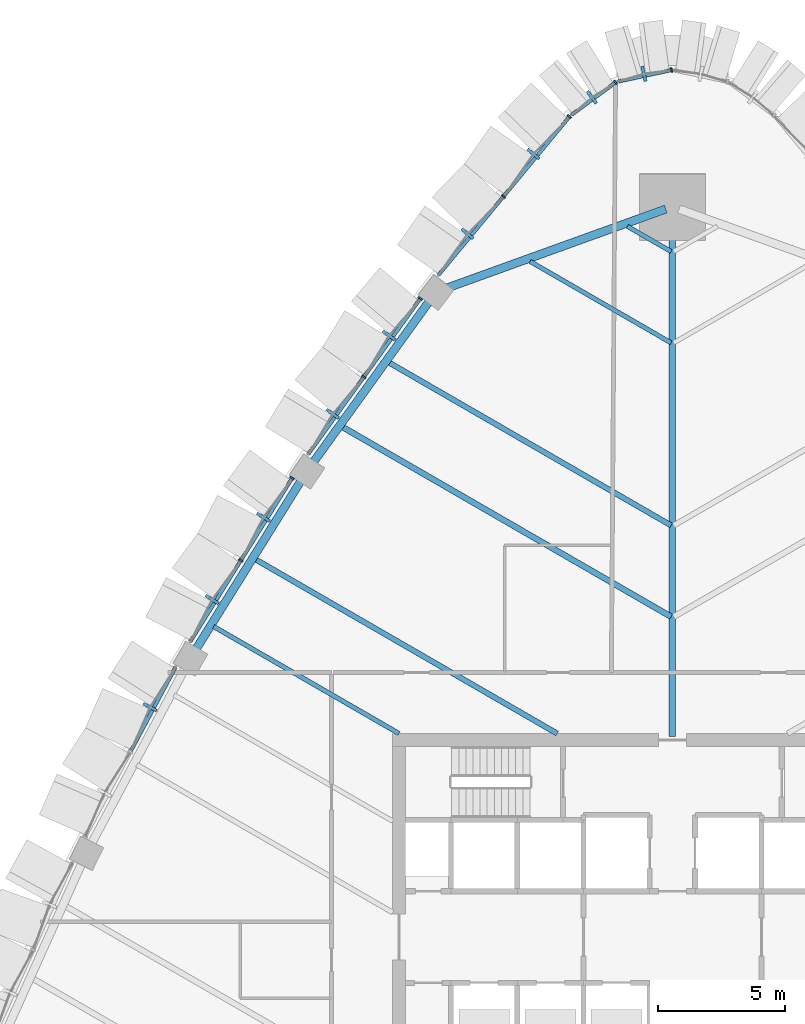
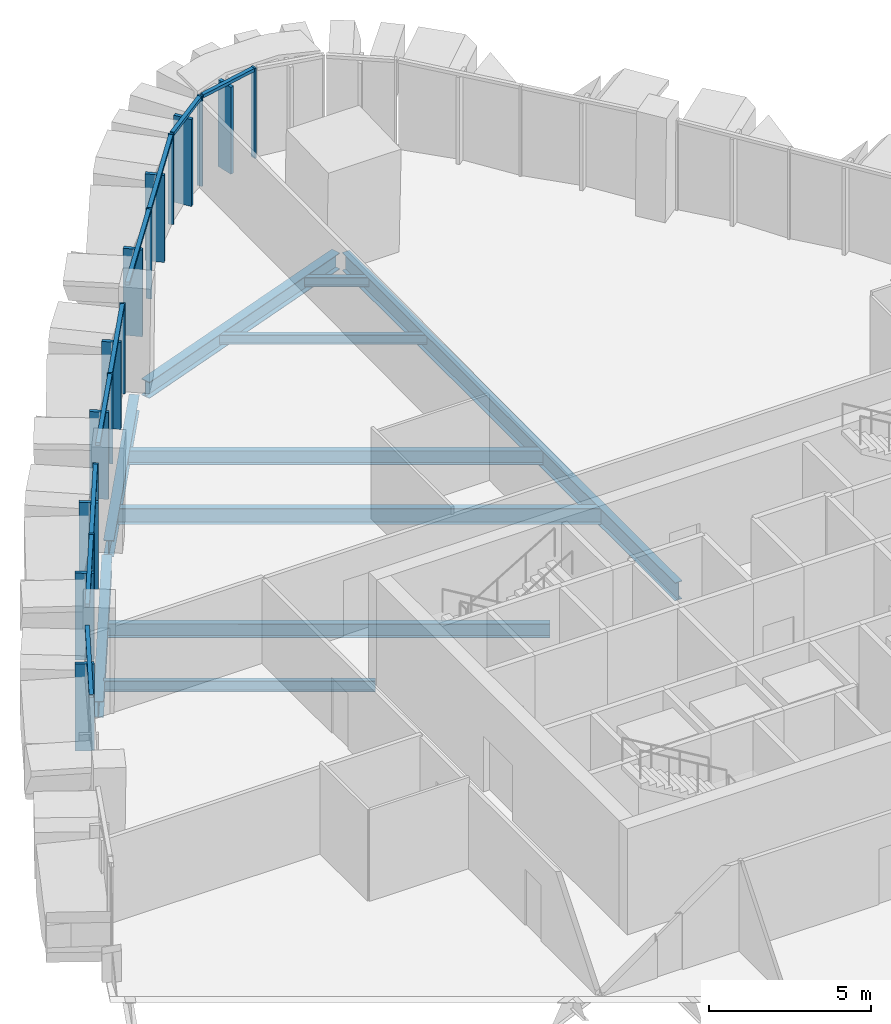
# One storey, part 6 of 18: 26 members, 10 beams, 6 elements without a shape of their own.
"""IFC4 building model written with IfcOpenShell, lengths in metres."""

from ifc_helpers import new_model, si_unit, direction, frame, origin, origin_2d, place, context, subcontext, project, spatial, rectangle, i_section, extrude, material, layer, layer_set, material_profile, profile_set, type_object, element, aggregate, save


model = new_model("IFC4")

# Units and contexts
model_context = context("Model", 3, precision=1e-05, world=origin(), true_north=direction((0.0, 1.0)))
body_context = subcontext(model_context, "Body", "Model", "MODEL_VIEW")
ifc_project = project(units=[si_unit("LENGTHUNIT", "METRE"), si_unit("AREAUNIT", "SQUARE_METRE"), si_unit("VOLUMEUNIT", "CUBIC_METRE"), si_unit("PLANEANGLEUNIT", "RADIAN"), si_unit("MASSUNIT", "GRAM", prefix="KILO")], contexts=[model_context])

# Site, building, storey
site_placement = place(None, origin())
site = spatial("IfcSite", under=ifc_project, at=site_placement, CompositionType="ELEMENT")
building_placement = place(site_placement, origin())
building = spatial("IfcBuilding", under=site, at=building_placement, Name="Sierra Prisma Convention Tower", CompositionType="ELEMENT")
storey_placement = place(building_placement, frame((0.0, 0.0, 133.800048828125)))
storey = spatial("IfcBuildingStorey", under=building, at=storey_placement, Name="L28", CompositionType="ELEMENT", Elevation=133.800048828125)

# Curtain wall, member
ifc_material_1 = material(Name="Aluminium and glass curtain wall", Category="aluminium")
ifc_layer = layer(ifc_material_1, 0.179931640625)
ifc_layer_set = layer_set([ifc_layer], Name="CW-2 Faceted crystal curtain wall")
curtain_wall_type = type_object("IfcCurtainWallType", Name="CW-2 Faceted crystal curtain wall", PredefinedType="NOTDEFINED", material=ifc_layer_set)
curtain_wall_1_placement = place(storey_placement, origin())
curtain_wall_1 = element("IfcCurtainWall", 1, at=curtain_wall_1_placement, inside=storey, type_object=curtain_wall_type, Name="CW-2 N3 L28", PredefinedType="NOTDEFINED")
ifc_material_2 = material(Name="Aluminium 6063-T6 bronze anodised", Category="aluminium")
ifc_material_profile_1 = material_profile(ifc_material_2, rectangle(XDim=0.1201171875, YDim=0.60009765625, at=origin_2d()), Name="ALU RIDGE BLADE 120x600")
ifc_profile_set_1 = profile_set([ifc_material_profile_1], Name="Aluminium 6063-T6 bronze anodised")
member_type_1 = type_object("IfcMemberType", Name="CW hip bronze", PredefinedType="MULLION", material=ifc_profile_set_1)
member_1_placement = place(storey_placement, frame((-1.121826171875, 33.941162109375, 0.0), z_axis=(0.0, 0.0, 1.0), x_axis=(-0.977701248375, -0.2100006403, 0.0)))
member_1 = element("IfcMember", 2, at=member_1_placement, type_object=member_type_1, Name="CW-2 ridge N3.1", PredefinedType="MULLION", context=body_context, shape_type="SweptSolid", body=[
    extrude(rectangle(XDim=0.1201171875, YDim=0.60009765625, at=origin_2d()), origin(), (0.0, 0.0, 1.0), 3.280029296875),
])

curtain_wall_2_placement = place(storey_placement, origin())
curtain_wall_2 = element("IfcCurtainWall", 3, at=curtain_wall_2_placement, inside=storey, type_object=curtain_wall_type, Name="CW-2 N4 L28", PredefinedType="NOTDEFINED")
member_2_placement = place(storey_placement, frame((-3.16748046875, 33.019775390625, 0.0), z_axis=(0.0, 0.0, 1.0), x_axis=(-0.805233696443, -0.592957582052, 0.0)))
member_2 = element("IfcMember", 4, at=member_2_placement, type_object=member_type_1, Name="CW-2 ridge N4.1", PredefinedType="MULLION", context=body_context, shape_type="SweptSolid", body=[
    extrude(rectangle(XDim=0.1201171875, YDim=0.60009765625, at=origin_2d()), origin(), (0.0, 0.0, 1.0), 3.280029296875),
])

# Curtain wall, members
curtain_wall_3_placement = place(storey_placement, origin())
curtain_wall_3 = element("IfcCurtainWall", 5, at=curtain_wall_3_placement, inside=storey, type_object=curtain_wall_type, Name="CW-2 NW1 L28", PredefinedType="NOTDEFINED")
member_3_placement = place(storey_placement, frame((-5.46728515625, 30.7890625, 0.0), z_axis=(0.0, 0.0, 1.0), x_axis=(-0.637316858315, -0.770601857062, 0.0)))
member_3 = element("IfcMember", 6, at=member_3_placement, type_object=member_type_1, Name="CW-2 ridge NW1.1", PredefinedType="MULLION", context=body_context, shape_type="SweptSolid", body=[
    extrude(rectangle(XDim=0.1201171875, YDim=0.60009765625, at=origin_2d()), origin(), (0.0, 0.0, 1.0), 3.280029296875),
])
member_4_placement = place(storey_placement, frame((-8.0595703125, 27.654541015625, 0.0), z_axis=(0.0, 0.0, 1.0), x_axis=(-0.637316858315, -0.770601857062, 0.0)))
member_4 = element("IfcMember", 7, at=member_4_placement, type_object=member_type_1, Name="CW-2 ridge NW1.2", PredefinedType="MULLION", context=body_context, shape_type="SweptSolid", body=[
    extrude(rectangle(XDim=0.1201171875, YDim=0.60009765625, at=origin_2d()), origin(), (0.0, 0.0, 1.0), 3.280029296875),
])

curtain_wall_4_placement = place(storey_placement, origin())
curtain_wall_4 = element("IfcCurtainWall", 8, at=curtain_wall_4_placement, inside=storey, type_object=curtain_wall_type, Name="CW-2 NW2 L28", PredefinedType="NOTDEFINED")
member_5_placement = place(storey_placement, frame((-11.141845703125, 23.650146484375, 0.0), z_axis=(0.0, 0.0, 1.0), x_axis=(-0.584323609195, -0.811520745106, 0.0)))
member_5 = element("IfcMember", 9, at=member_5_placement, type_object=member_type_1, Name="CW-2 ridge NW2.1", PredefinedType="MULLION", context=body_context, shape_type="SweptSolid", body=[
    extrude(rectangle(XDim=0.1201171875, YDim=0.60009765625, at=origin_2d()), origin(), (0.0, 0.0, 1.0), 3.280029296875),
])
member_6_placement = place(storey_placement, frame((-13.359375, 20.570556640625, 0.0), z_axis=(0.0, 0.0, 1.0), x_axis=(-0.584323609195, -0.811520745106, 0.0)))
member_6 = element("IfcMember", 10, at=member_6_placement, type_object=member_type_1, Name="CW-2 ridge NW2.2", PredefinedType="MULLION", context=body_context, shape_type="SweptSolid", body=[
    extrude(rectangle(XDim=0.1201171875, YDim=0.60009765625, at=origin_2d()), origin(), (0.0, 0.0, 1.0), 3.280029296875),
])

curtain_wall_5_placement = place(storey_placement, origin())
curtain_wall_5 = element("IfcCurtainWall", 11, at=curtain_wall_5_placement, inside=storey, type_object=curtain_wall_type, Name="CW-2 NW3 L28", PredefinedType="NOTDEFINED")
member_7_placement = place(storey_placement, frame((-16.083740234375, 16.50634765625, 0.0), z_axis=(0.0, 0.0, 1.0), x_axis=(-0.52871104778, -0.848801877917, 0.0)))
member_7 = element("IfcMember", 12, at=member_7_placement, type_object=member_type_1, Name="CW-2 ridge NW3.1", PredefinedType="MULLION", context=body_context, shape_type="SweptSolid", body=[
    extrude(rectangle(XDim=0.1201171875, YDim=0.60009765625, at=origin_2d()), origin(), (0.0, 0.0, 1.0), 3.280029296875),
])
member_8_placement = place(storey_placement, frame((-18.0986328125, 13.271484375, 0.0), z_axis=(0.0, 0.0, 1.0), x_axis=(-0.52871104778, -0.848801877917, 0.0)))
member_8 = element("IfcMember", 13, at=member_8_placement, type_object=member_type_1, Name="CW-2 ridge NW3.2", PredefinedType="MULLION", context=body_context, shape_type="SweptSolid", body=[
    extrude(rectangle(XDim=0.1201171875, YDim=0.60009765625, at=origin_2d()), origin(), (0.0, 0.0, 1.0), 3.280029296875),
])

# Curtain wall, member
curtain_wall_6_placement = place(storey_placement, origin())
curtain_wall_6 = element("IfcCurtainWall", 14, at=curtain_wall_6_placement, inside=storey, type_object=curtain_wall_type, Name="CW-2 NW4 L28", PredefinedType="NOTDEFINED")
member_9_placement = place(storey_placement, frame((-20.542724609375, 9.038330078125, 0.0), z_axis=(0.0, 0.0, 1.0), x_axis=(-0.470728465167, -0.882278137597, 0.0)))
member_9 = element("IfcMember", 15, at=member_9_placement, type_object=member_type_1, Name="CW-2 ridge NW4.1", PredefinedType="MULLION", context=body_context, shape_type="SweptSolid", body=[
    extrude(rectangle(XDim=0.1201171875, YDim=0.60009765625, at=origin_2d()), origin(), (0.0, 0.0, 1.0), 3.280029296875),
])

# Member
ifc_material_3 = material(Name="Aluminium 6063-T6 bronze anodised", Category="aluminium")
ifc_material_profile_2 = material_profile(ifc_material_3, rectangle(XDim=0.179931640625, YDim=0.070068359375, at=origin_2d()), Name="ALU MULLION 70x180")
ifc_profile_set_2 = profile_set([ifc_material_profile_2], Name="Aluminium 6063-T6 bronze anodised")
member_type_2 = type_object("IfcMemberType", Name="CW mullion bronze", PredefinedType="MULLION", material=ifc_profile_set_2)
member_10_placement = place(storey_placement, frame((-0.0341796875, 34.08935546875, 0.0), z_axis=(0.0, 0.0, 1.0), x_axis=(0.2100006403, -0.977701248375, 0.0)))
member_10 = element("IfcMember", 16, at=member_10_placement, type_object=member_type_2, Name="CW-1 mullion N3.1", PredefinedType="MULLION", context=body_context, shape_type="SweptSolid", body=[
    extrude(rectangle(XDim=0.179931640625, YDim=0.070068359375, at=origin_2d()), origin(), (0.0, 0.0, 1.0), 3.39990234375),
])

member_11_placement = place(storey_placement, frame((-2.23681640625, 33.6015625, 0.0), z_axis=(0.0, 0.0, 1.0), x_axis=(0.592957582052, -0.805233696443, 0.0)))
member_11 = element("IfcMember", 17, at=member_11_placement, type_object=member_type_2, Name="CW-1 mullion N4.1", PredefinedType="MULLION", context=body_context, shape_type="SweptSolid", body=[
    extrude(rectangle(XDim=0.179931640625, YDim=0.070068359375, at=origin_2d()), origin(), (0.0, 0.0, 1.0), 3.39990234375),
])

member_12_placement = place(storey_placement, frame((-4.050048828125, 32.255859375, 0.0), z_axis=(0.0, 0.0, 1.0), x_axis=(0.770601857062, -0.637316858315, 0.0)))
member_12 = element("IfcMember", 18, at=member_12_placement, type_object=member_type_2, Name="CW-1 mullion NW1.1", PredefinedType="MULLION", context=body_context, shape_type="SweptSolid", body=[
    extrude(rectangle(XDim=0.179931640625, YDim=0.070068359375, at=origin_2d()), origin(), (0.0, 0.0, 1.0), 3.39990234375),
])

member_13_placement = place(storey_placement, frame((-6.64208984375, 29.12158203125, 0.0), z_axis=(0.0, 0.0, 1.0), x_axis=(0.770601857062, -0.637316858315, 0.0)))
member_13 = element("IfcMember", 19, at=member_13_placement, type_object=member_type_2, Name="CW-1 mullion NW1.2", PredefinedType="MULLION", context=body_context, shape_type="SweptSolid", body=[
    extrude(rectangle(XDim=0.179931640625, YDim=0.070068359375, at=origin_2d()), origin(), (0.0, 0.0, 1.0), 3.39990234375),
])

member_14_placement = place(storey_placement, frame((-9.914306640625, 25.104248046875, 0.0), z_axis=(0.0, 0.0, 1.0), x_axis=(0.811520745106, -0.584323609195, 0.0)))
member_14 = element("IfcMember", 20, at=member_14_placement, type_object=member_type_2, Name="CW-1 mullion NW2.1", PredefinedType="MULLION", context=body_context, shape_type="SweptSolid", body=[
    extrude(rectangle(XDim=0.179931640625, YDim=0.070068359375, at=origin_2d()), origin(), (0.0, 0.0, 1.0), 3.39990234375),
])

member_15_placement = place(storey_placement, frame((-12.131591796875, 22.024658203125, 0.0), z_axis=(0.0, 0.0, 1.0), x_axis=(0.811520745106, -0.584323609195, 0.0)))
member_15 = element("IfcMember", 21, at=member_15_placement, type_object=member_type_2, Name="CW-1 mullion NW2.2", PredefinedType="MULLION", context=body_context, shape_type="SweptSolid", body=[
    extrude(rectangle(XDim=0.179931640625, YDim=0.070068359375, at=origin_2d()), origin(), (0.0, 0.0, 1.0), 3.39990234375),
])

member_16_placement = place(storey_placement, frame((-14.951416015625, 18.0458984375, 0.0), z_axis=(0.0, 0.0, 1.0), x_axis=(0.848801877917, -0.52871104778, 0.0)))
member_16 = element("IfcMember", 22, at=member_16_placement, type_object=member_type_2, Name="CW-1 mullion NW3.1", PredefinedType="MULLION", context=body_context, shape_type="SweptSolid", body=[
    extrude(rectangle(XDim=0.179931640625, YDim=0.070068359375, at=origin_2d()), origin(), (0.0, 0.0, 1.0), 3.39990234375),
])

member_17_placement = place(storey_placement, frame((-16.96630859375, 14.81103515625, 0.0), z_axis=(0.0, 0.0, 1.0), x_axis=(0.848801877917, -0.52871104778, 0.0)))
member_17 = element("IfcMember", 23, at=member_17_placement, type_object=member_type_2, Name="CW-1 mullion NW3.2", PredefinedType="MULLION", context=body_context, shape_type="SweptSolid", body=[
    extrude(rectangle(XDim=0.179931640625, YDim=0.070068359375, at=origin_2d()), origin(), (0.0, 0.0, 1.0), 3.39990234375),
])

ifc_material_4 = material(Name="Aluminium 6063-T6 bronze anodised", Category="aluminium")
ifc_material_profile_3 = material_profile(ifc_material_4, rectangle(XDim=0.139892578125, YDim=0.1201171875, at=origin_2d()), Name="ALU TRANSOM 120x140")
ifc_profile_set_3 = profile_set([ifc_material_profile_3], Name="Aluminium 6063-T6 bronze anodised")
member_type_3 = type_object("IfcMemberType", Name="CW transom bronze", PredefinedType="USERDEFINED", material=ifc_profile_set_3)
member_18_placement = place(storey_placement, frame((-0.068359375, 34.08203125, 3.33984375), z_axis=(-0.977694377948, -0.21003262444, 0.0), x_axis=(0.21003262444, -0.977694377948, 0.0)))
member_18 = element("IfcMember", 24, at=member_18_placement, type_object=member_type_3, Name="CW-1 transom N3.1", ObjectType="TRANSOM", PredefinedType="USERDEFINED", context=body_context, shape_type="SweptSolid", body=[
    extrude(rectangle(XDim=0.139892578125, YDim=0.1201171875, at=origin_2d()), origin(), (0.0, 0.0, 1.0), 2.119140625),
])

aggregate(curtain_wall_1, [member_10, member_18, member_1])

member_19_placement = place(storey_placement, frame((-2.264892578125, 33.580810546875, 3.33984375), z_axis=(-0.805264298509, -0.592916022339, 0.0), x_axis=(0.592916022339, -0.805264298509, 0.0)))
member_19 = element("IfcMember", 25, at=member_19_placement, type_object=member_type_3, Name="CW-1 transom N4.1", ObjectType="TRANSOM", PredefinedType="USERDEFINED", context=body_context, shape_type="SweptSolid", body=[
    extrude(rectangle(XDim=0.139892578125, YDim=0.1201171875, at=origin_2d()), origin(), (0.0, 0.0, 1.0), 2.118896484375),
])

aggregate(curtain_wall_2, [member_11, member_19, member_2])

member_20_placement = place(storey_placement, frame((-4.072265625, 32.22900390625, 3.33984375), z_axis=(-0.63729644502, -0.770618739173, 0.0), x_axis=(0.770618739173, -0.63729644502, 0.0)))
member_20 = element("IfcMember", 26, at=member_20_placement, type_object=member_type_3, Name="CW-1 transom NW1.1", ObjectType="TRANSOM", PredefinedType="USERDEFINED", context=body_context, shape_type="SweptSolid", body=[
    extrude(rectangle(XDim=0.139892578125, YDim=0.1201171875, at=origin_2d()), origin(), (0.0, 0.0, 1.0), 3.99755859375),
])

member_21_placement = place(storey_placement, frame((-6.66455078125, 29.094482421875, 3.33984375), z_axis=(-0.637326439654, -0.770593932833, 0.0), x_axis=(0.770593932833, -0.637326439654, 0.0)))
member_21 = element("IfcMember", 27, at=member_21_placement, type_object=member_type_3, Name="CW-1 transom NW1.2", ObjectType="TRANSOM", PredefinedType="USERDEFINED", context=body_context, shape_type="SweptSolid", body=[
    extrude(rectangle(XDim=0.139892578125, YDim=0.1201171875, at=origin_2d()), origin(), (0.0, 0.0, 1.0), 3.997314453125),
])

aggregate(curtain_wall_3, [member_12, member_13, member_20, member_3, member_21, member_4])

member_22_placement = place(storey_placement, frame((-9.934814453125, 25.075927734375, 3.33984375), z_axis=(-0.584302999248, -0.811535584598, 0.0), x_axis=(0.811535584598, -0.584302999248, 0.0)))
member_22 = element("IfcMember", 28, at=member_22_placement, type_object=member_type_3, Name="CW-1 transom NW2.1", ObjectType="TRANSOM", PredefinedType="USERDEFINED", context=body_context, shape_type="SweptSolid", body=[
    extrude(rectangle(XDim=0.139892578125, YDim=0.1201171875, at=origin_2d()), origin(), (0.0, 0.0, 1.0), 3.724853515625),
])

member_23_placement = place(storey_placement, frame((-12.152099609375, 21.996337890625, 3.33984375), z_axis=(-0.584302999248, -0.811535584598, 0.0), x_axis=(0.811535584598, -0.584302999248, 0.0)))
member_23 = element("IfcMember", 29, at=member_23_placement, type_object=member_type_3, Name="CW-1 transom NW2.2", ObjectType="TRANSOM", PredefinedType="USERDEFINED", context=body_context, shape_type="SweptSolid", body=[
    extrude(rectangle(XDim=0.139892578125, YDim=0.1201171875, at=origin_2d()), origin(), (0.0, 0.0, 1.0), 3.724853515625),
])

aggregate(curtain_wall_4, [member_14, member_15, member_22, member_5, member_23, member_6])

member_24_placement = place(storey_placement, frame((-14.969970703125, 18.01611328125, 3.33984375), z_axis=(-0.528695987104, -0.848811258891, 0.0), x_axis=(0.848811258891, -0.528695987104, 0.0)))
member_24 = element("IfcMember", 30, at=member_24_placement, type_object=member_type_3, Name="CW-1 transom NW3.1", ObjectType="TRANSOM", PredefinedType="USERDEFINED", context=body_context, shape_type="SweptSolid", body=[
    extrude(rectangle(XDim=0.139892578125, YDim=0.1201171875, at=origin_2d()), origin(), (0.0, 0.0, 1.0), 3.740966796875),
])

member_25_placement = place(storey_placement, frame((-16.98486328125, 14.781494140625, 3.33984375), z_axis=(-0.528666700762, -0.848829499668, 0.0), x_axis=(0.848829499668, -0.528666700762, 0.0)))
member_25 = element("IfcMember", 31, at=member_25_placement, type_object=member_type_3, Name="CW-1 transom NW3.2", ObjectType="TRANSOM", PredefinedType="USERDEFINED", context=body_context, shape_type="SweptSolid", body=[
    extrude(rectangle(XDim=0.139892578125, YDim=0.1201171875, at=origin_2d()), origin(), (0.0, 0.0, 1.0), 3.740966796875),
])

aggregate(curtain_wall_5, [member_16, member_17, member_24, member_7, member_25, member_8])

member_26_placement = place(storey_placement, frame((-19.532470703125, 10.619140625, 3.33984375), z_axis=(-0.470733882541, -0.882275247203, 0.0), x_axis=(0.882275247203, -0.470733882541, 0.0)))
member_26 = element("IfcMember", 32, at=member_26_placement, type_object=member_type_3, Name="CW-1 transom NW4.1", ObjectType="TRANSOM", PredefinedType="USERDEFINED", context=body_context, shape_type="SweptSolid", body=[
    extrude(rectangle(XDim=0.139892578125, YDim=0.1201171875, at=origin_2d()), origin(), (0.0, 0.0, 1.0), 3.740966796875),
])

aggregate(curtain_wall_6, [member_26, member_9])

# Beams
ifc_material_5 = material(Name="Steel ASTM A992 Gr 50", Category="steel")
ifc_material_profile_4 = material_profile(ifc_material_5, i_section(OverallWidth=0.172119140625, OverallDepth=0.35791015625, WebThickness=0.0078125, FlangeThickness=0.01318359375, at=origin_2d()), Name="W360x57")
ifc_profile_set_4 = profile_set([ifc_material_profile_4], Name="Steel ASTM A992 Gr 50")
beam_type_1 = type_object("IfcBeamType", Name="Floor joist W360x57", PredefinedType="JOIST", material=ifc_profile_set_4)
beam_1_placement = place(storey_placement, frame((-1.77197265625, 27.9462890625, -0.3291015625), z_axis=(0.866042392862, -0.4999705729, 0.0), x_axis=(0.4999705729, 0.866042392862, 0.0)))
element("IfcBeam", 33, at=beam_1_placement, inside=storey, type_object=beam_type_1, Name="Floor joist L28 NW01", PredefinedType="JOIST", context=body_context, shape_type="SweptSolid", body=[
    extrude(i_section(OverallWidth=0.172119140625, OverallDepth=0.35791015625, WebThickness=0.0078125, FlangeThickness=0.01318359375, at=origin_2d()), origin(), (0.0, 0.0, 1.0), 1.9873046875),
])
beam_2_placement = place(storey_placement, frame((-5.597412109375, 26.565185546875, -0.3291015625), z_axis=(0.866022445337, -0.500005124146, 0.0), x_axis=(0.500005124146, 0.866022445337, 0.0)))
element("IfcBeam", 34, at=beam_2_placement, inside=storey, type_object=beam_type_1, Name="Floor joist L28 NW02", PredefinedType="JOIST", context=body_context, shape_type="SweptSolid", body=[
    extrude(i_section(OverallWidth=0.172119140625, OverallDepth=0.35791015625, WebThickness=0.0078125, FlangeThickness=0.01318359375, at=origin_2d()), origin(), (0.0, 0.0, 1.0), 6.40478515625),
])
ifc_material_6 = material(Name="Steel ASTM A992 Gr 50", Category="steel")
ifc_material_profile_5 = material_profile(ifc_material_6, i_section(OverallWidth=0.177978515625, OverallDepth=0.406982421875, WebThickness=0.0078125, FlangeThickness=0.0126953125, at=origin_2d()), Name="W410x60")
ifc_profile_set_5 = profile_set([ifc_material_profile_5], Name="Steel ASTM A992 Gr 50")
beam_type_2 = type_object("IfcBeamType", Name="Floor joist W410x60", PredefinedType="JOIST", material=ifc_profile_set_5)
beam_3_placement = place(storey_placement, frame((-18.041259765625, 12.2109375, -0.353515625), z_axis=(0.86602966267, -0.499992623322, 0.0), x_axis=(0.499992623322, 0.86602966267, 0.0)))
element("IfcBeam", 35, at=beam_3_placement, inside=storey, type_object=beam_type_2, Name="Floor joist L28 NW08", PredefinedType="JOIST", context=body_context, shape_type="SweptSolid", body=[
    extrude(i_section(OverallWidth=0.177978515625, OverallDepth=0.406982421875, WebThickness=0.0078125, FlangeThickness=0.0126953125, at=origin_2d()), origin(), (0.0, 0.0, 1.0), 8.422119140625),
])
ifc_material_7 = material(Name="Steel ASTM A992 Gr 50", Category="steel")
ifc_material_profile_6 = material_profile(ifc_material_7, i_section(OverallWidth=0.208984375, OverallDepth=0.532958984375, WebThickness=0.01025390625, FlangeThickness=0.015625, at=origin_2d()), Name="W530x92")
ifc_profile_set_6 = profile_set([ifc_material_profile_6], Name="Steel ASTM A992 Gr 50")
beam_type_3 = type_object("IfcBeamType", Name="Floor joist W530x92", PredefinedType="JOIST", material=ifc_profile_set_6)
beam_4_placement = place(storey_placement, frame((-11.152587890625, 22.5927734375, -0.41650390625), z_axis=(0.866032403439, -0.499987876047, 0.0), x_axis=(0.499987876047, 0.866032403439, 0.0)))
element("IfcBeam", 36, at=beam_4_placement, inside=storey, type_object=beam_type_3, Name="Floor joist L28 NW04", PredefinedType="JOIST", context=body_context, shape_type="SweptSolid", body=[
    extrude(i_section(OverallWidth=0.208984375, OverallDepth=0.532958984375, WebThickness=0.01025390625, FlangeThickness=0.015625, at=origin_2d()), origin(), (0.0, 0.0, 1.0), 12.819091796875),
])
beam_5_placement = place(storey_placement, frame((-16.396484375, 14.851318359375, -0.41650390625), z_axis=(0.866018535899, -0.500011895338, 0.0), x_axis=(0.500011895338, 0.866018535899, 0.0)))
element("IfcBeam", 37, at=beam_5_placement, inside=storey, type_object=beam_type_3, Name="Floor joist L28 NW07", PredefinedType="JOIST", context=body_context, shape_type="SweptSolid", body=[
    extrude(i_section(OverallWidth=0.208984375, OverallDepth=0.532958984375, WebThickness=0.01025390625, FlangeThickness=0.015625, at=origin_2d()), origin(), (0.0, 0.0, 1.0), 13.702392578125),
])
ifc_material_8 = material(Name="Steel ASTM A992 Gr 50", Category="steel")
ifc_material_profile_7 = material_profile(ifc_material_8, i_section(OverallWidth=0.22802734375, OverallDepth=0.60302734375, WebThickness=0.010498046875, FlangeThickness=0.014892578125, at=origin_2d()), Name="W610x101")
ifc_profile_set_7 = profile_set([ifc_material_profile_7], Name="Steel ASTM A992 Gr 50")
beam_type_4 = type_object("IfcBeamType", Name="Floor joist W610x101", PredefinedType="JOIST", material=ifc_profile_set_7)
beam_6_placement = place(storey_placement, frame((-12.978271484375, 20.05712890625, -0.45166015625), z_axis=(0.866027344991, -0.499996637716, 0.0), x_axis=(0.499996637716, 0.866027344991, 0.0)))
element("IfcBeam", 38, at=beam_6_placement, inside=storey, type_object=beam_type_4, Name="Floor joist L28 NW05", PredefinedType="JOIST", context=body_context, shape_type="SweptSolid", body=[
    extrude(i_section(OverallWidth=0.22802734375, OverallDepth=0.60302734375, WebThickness=0.010498046875, FlangeThickness=0.014892578125, at=origin_2d()), origin(), (0.0, 0.0, 1.0), 14.92724609375),
])
ifc_material_9 = material(Name="Steel ASTM A992 Gr 50", Category="steel")
ifc_material_profile_8 = material_profile(ifc_material_9, i_section(OverallWidth=0.25390625, OverallDepth=0.68408203125, WebThickness=0.012451171875, FlangeThickness=0.018798828125, at=origin_2d()), Name="W690x140")
ifc_profile_set_8 = profile_set([ifc_material_profile_8], Name="Steel ASTM A992 Gr 50")
beam_type_5 = type_object("IfcBeamType", Name="Radial girder W690x140", PredefinedType="BEAM", material=ifc_profile_set_8)
beam_7_placement = place(storey_placement, frame((0.0, 28.458251953125, -0.491943359375), z_axis=(0.0, -1.0, 0.0), x_axis=(1.0, 0.0, 0.0)))
element("IfcBeam", 39, at=beam_7_placement, inside=storey, type_object=beam_type_5, Name="Radial girder L28 N", PredefinedType="BEAM", context=body_context, shape_type="SweptSolid", body=[
    extrude(i_section(OverallWidth=0.25390625, OverallDepth=0.68408203125, WebThickness=0.012451171875, FlangeThickness=0.018798828125, at=origin_2d()), origin(), (0.0, 0.0, 1.0), 20.578369140625),
])
ifc_material_10 = material(Name="Steel ASTM A992 Gr 50", Category="steel")
ifc_material_profile_9 = material_profile(ifc_material_10, i_section(OverallWidth=0.324951171875, OverallDepth=0.615966796875, WebThickness=0.013916015625, FlangeThickness=0.021484375, at=origin_2d()), Name="W610x174")
ifc_profile_set_9 = profile_set([ifc_material_profile_9], Name="Steel ASTM A992 Gr 50")
beam_type_6 = type_object("IfcBeamType", Name="Spandrel beam W610x174", PredefinedType="BEAM", material=ifc_profile_set_9)
beam_8_placement = place(storey_placement, frame((-0.260009765625, 28.624267578125, -0.4580078125), z_axis=(-0.940571918944, -0.339594560166, 0.0), x_axis=(0.339594560166, -0.940571918944, 0.0)))
element("IfcBeam", 40, at=beam_8_placement, inside=storey, type_object=beam_type_6, Name="Spandrel L28-13", PredefinedType="BEAM", context=body_context, shape_type="SweptSolid", body=[
    extrude(i_section(OverallWidth=0.324951171875, OverallDepth=0.615966796875, WebThickness=0.013916015625, FlangeThickness=0.021484375, at=origin_2d()), origin(), (0.0, 0.0, 1.0), 9.13671875),
])
for number, where, z_axis, x_axis, name in (
    (41, (-9.5205078125, 25.052490234375, -0.4580078125), (-0.58432746065, -0.811517971909, 0.0), (0.811517971909, -0.58432746065, 0.0), "Spandrel L28-14"),
    (42, (-14.572265625, 17.9931640625, -0.4580078125), (-0.528693390104, -0.848812876469, 0.0), (0.848812876469, -0.528693390104, 0.0), "Spandrel L28-15"),
):
    element("IfcBeam", number, at=place(storey_placement, frame(where, z_axis=z_axis, x_axis=x_axis)), inside=storey, type_object=beam_type_6, Name=name, PredefinedType="BEAM", context=body_context, shape_type="SweptSolid", body=[
        extrude(i_section(OverallWidth=0.324951171875, OverallDepth=0.615966796875, WebThickness=0.013916015625, FlangeThickness=0.021484375, at=origin_2d()), origin(), (0.0, 0.0, 1.0), 7.9208984375),
    ])

save(model, "model.ifc")
